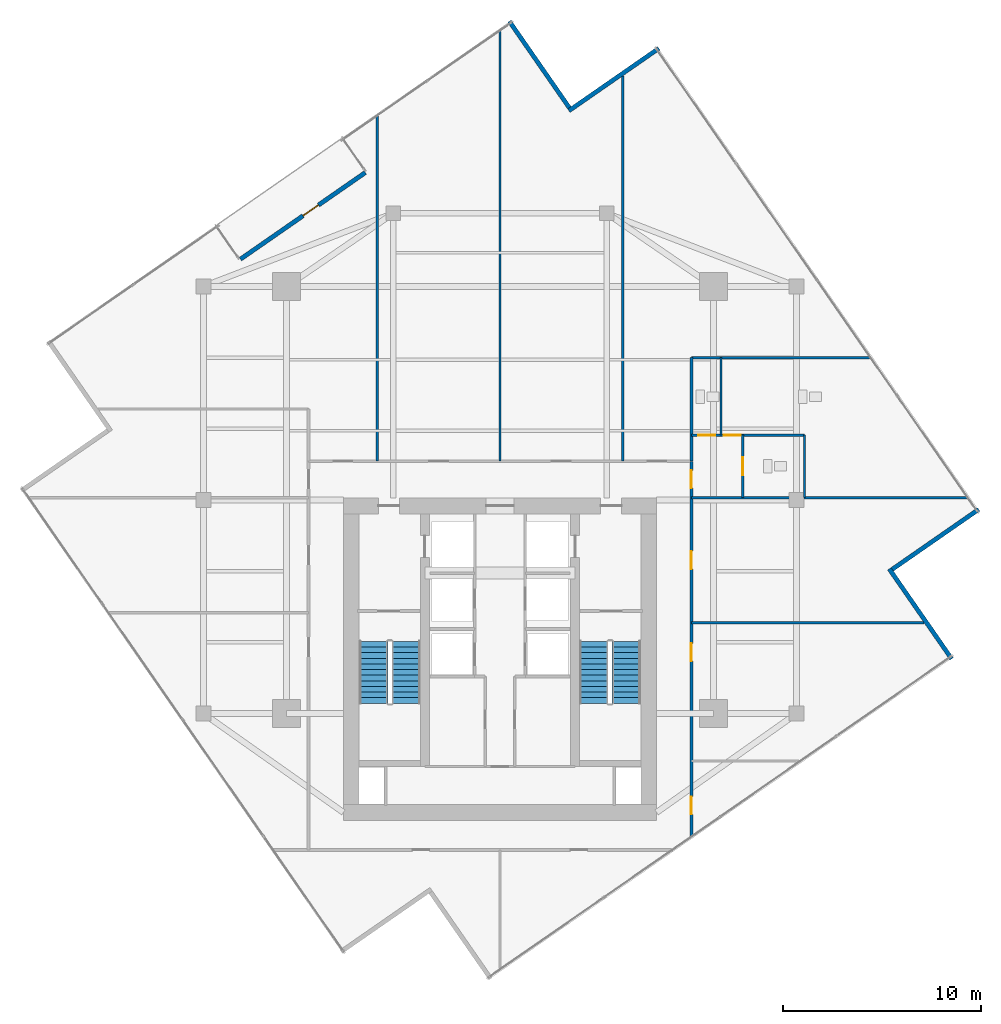
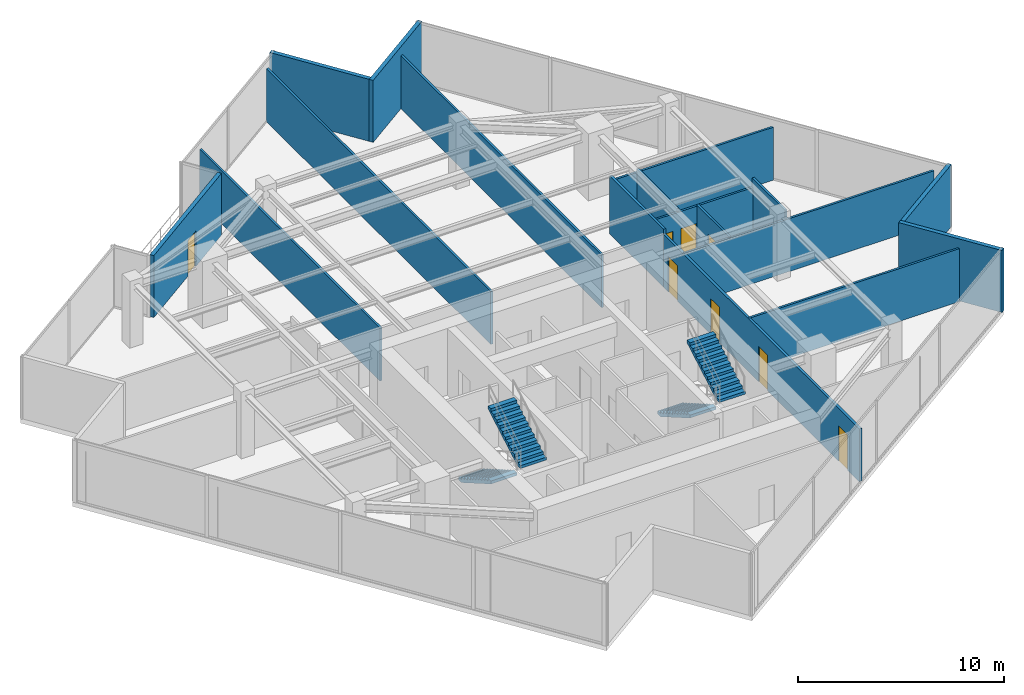
# One storey, part 19 of 21: 17 walls, 8 doors, 4 stair flights, 8 openings, 2 elements without a shape of their own.
"""IFC4 building model written with IfcOpenShell, lengths in metres."""

import ifcopenshell
import ifcopenshell.guid

model = None  # the IFC model being written
_history = None  # IfcOwnerHistory: only IFC2X3 demands one
_inside = {}  # id of a spatial element -> (the spatial element, [elements in it])
_under = {}  # id of a project, library or spatial element -> (it, [spatial elements below it])
_declared = {}  # id of a project -> (the project, [libraries it declares])
_typed = {}  # id of a type object -> (the type object, [elements of that type])
_made_of = {}  # id of a material, layer set ... -> (it, [elements and type objects made of it])


def new_model(schema):
    """Start an empty IFC model of exactly this schema.

    Asked for "IFC4X3", IfcOpenShell would pick the latest addendum, in which some entities
    have other attributes; the version numbers below select the first issue.
    IFC2X3 requires an IfcOwnerHistory on every rooted entity: one is made here for all.
    """
    global model, _history
    if schema == "IFC4X3":
        model = ifcopenshell.file(schema_version=(4, 3, 0, 0))
    else:
        model = ifcopenshell.file(schema=schema)
    _inside.clear()
    _under.clear()
    _declared.clear()
    _typed.clear()
    _made_of.clear()
    _history = None
    if model.schema == "IFC2X3":
        org = make("IfcOrganization", Name="unknown")
        user = make(
            "IfcPersonAndOrganization",
            ThePerson=make("IfcPerson", FamilyName="unknown"),
            TheOrganization=org,
        )
        app = make(
            "IfcApplication",
            ApplicationDeveloper=org,
            Version="unknown",
            ApplicationFullName="unknown",
            ApplicationIdentifier="unknown",
        )
        _history = make(
            "IfcOwnerHistory",
            OwningUser=user,
            OwningApplication=app,
            ChangeAction="ADDED",
            CreationDate=0,
        )
    return model


def make(cls, **values):
    """One entity of the class cls with the attributes given. An attribute that is None is left unset."""
    return model.create_entity(
        cls, **{name: value for name, value in values.items() if value is not None}
    )


def rooted(cls, **values):
    """An entity with a GlobalId (a new one), such as an element, a storey or a relation."""
    return make(cls, GlobalId=ifcopenshell.guid.new(), OwnerHistory=_history, **values)


def si_unit(unit_type, name, prefix=None):
    """IfcSIUnit, for example si_unit("LENGTHUNIT", "METRE", prefix="MILLI")."""
    return make("IfcSIUnit", UnitType=unit_type, Prefix=prefix, Name=name)


def assignment(units):
    """IfcUnitAssignment: the units of a project."""
    return None if units is None else make("IfcUnitAssignment", Units=units)


def point(xyz):
    """IfcCartesianPoint."""
    return None if xyz is None else make("IfcCartesianPoint", Coordinates=xyz)


def direction(xyz):
    """IfcDirection."""
    return None if xyz is None else make("IfcDirection", DirectionRatios=xyz)


def frame(location, z_axis=None, x_axis=None):
    """IfcAxis2Placement3D, a coordinate frame: its origin and axes. An axis left out is left unset."""
    return make(
        "IfcAxis2Placement3D",
        Location=point(location),
        Axis=direction(z_axis),
        RefDirection=direction(x_axis),
    )


def frame_2d(location, x_axis=None):
    """IfcAxis2Placement2D, a coordinate frame in the plane: its origin and x axis."""
    return make(
        "IfcAxis2Placement2D", Location=point(location), RefDirection=direction(x_axis)
    )


def origin():
    """The frame at (0, 0, 0) with its axes left unset."""
    return frame((0.0, 0.0, 0.0))


def place(relative_to, where):
    """IfcLocalPlacement: puts the frame where relative to a parent placement (None: the world)."""
    return make(
        "IfcLocalPlacement", PlacementRelTo=relative_to, RelativePlacement=where
    )


def context(
    kind, dimensions, precision=None, world=None, true_north=None, identifier=None
):
    """IfcGeometricRepresentationContext, for example the 3D "Model" context."""
    return make(
        "IfcGeometricRepresentationContext",
        ContextIdentifier=identifier,
        ContextType=kind,
        CoordinateSpaceDimension=dimensions,
        Precision=precision,
        WorldCoordinateSystem=world,
        TrueNorth=true_north,
    )


def subcontext(parent, identifier, kind, view, scale=None):
    """IfcGeometricRepresentationSubContext, for example "Body" below "Model"."""
    return make(
        "IfcGeometricRepresentationSubContext",
        ContextIdentifier=identifier,
        ContextType=kind,
        ParentContext=parent,
        TargetScale=scale,
        TargetView=view,
    )


def project(units=None, contexts=None):
    """IfcProject with its units and contexts."""
    return rooted(
        "IfcProject",
        Name="project",
        RepresentationContexts=contexts,
        UnitsInContext=assignment(units),
    )


def spatial(cls, under=None, at=None, **own):
    """A site, building, storey or space (cls), placed at a placement, below another one or the project."""
    s = rooted(cls, ObjectPlacement=at, **own)
    if under is not None:
        _under.setdefault(under.id(), (under, []))[1].append(s)
    return s


def polyline(points):
    """IfcPolyline through the points."""
    return make("IfcPolyline", Points=[point(p) for p in points])


def profile(cls, at=None, kind="AREA", **sizes):
    """A parametric profile (cls). Its sizes go by their IFC names, for example OverallWidth=200.0."""
    return make(cls, ProfileType=kind, Position=at, **sizes)


def rectangle(**sizes):
    """IfcRectangleProfileDef."""
    return profile("IfcRectangleProfileDef", **sizes)


def outline(outer, holes=None, kind="AREA"):
    """IfcArbitraryClosedProfileDef: a profile drawn as a closed curve; with holes, ...WithVoids."""
    if holes is None:
        return make("IfcArbitraryClosedProfileDef", ProfileType=kind, OuterCurve=outer)
    return make(
        "IfcArbitraryProfileDefWithVoids",
        ProfileType=kind,
        OuterCurve=outer,
        InnerCurves=holes,
    )


def extrude(swept, where, along, depth):
    """IfcExtrudedAreaSolid: the profile swept, set in the frame where, extruded along a direction by depth."""
    return make(
        "IfcExtrudedAreaSolid",
        SweptArea=swept,
        Position=where,
        ExtrudedDirection=direction(along),
        Depth=depth,
    )


def shape(context_of_items, identifier, shape_type, items):
    """IfcShapeRepresentation: the items that make up one representation, for example the "Body"."""
    return make(
        "IfcShapeRepresentation",
        ContextOfItems=context_of_items,
        RepresentationIdentifier=identifier,
        RepresentationType=shape_type,
        Items=items,
    )


def material(Name=None, Category=None):
    """IfcMaterial."""
    return make("IfcMaterial", Name=Name, Category=Category)


def layer(
    of_material, thickness, ventilated=None, Name=None, Category=None, Priority=None
):
    """IfcMaterialLayer: one layer of a wall or slab, of a material (None: an air gap)."""
    return make(
        "IfcMaterialLayer",
        Material=of_material,
        LayerThickness=thickness,
        IsVentilated=ventilated,
        Name=Name,
        Category=Category,
        Priority=Priority,
    )


def layer_set(layers, Name=None):
    """IfcMaterialLayerSet."""
    return make("IfcMaterialLayerSet", MaterialLayers=layers, LayerSetName=Name)


def made_of(thing, what):
    """Note that an element or type object is made of a material, layer set ...; save() writes the relation."""
    if what is not None:
        _made_of.setdefault(what.id(), (what, []))[1].append(thing)
    return thing


def type_object(cls, material=None, **own):
    """A type object (cls), such as IfcWallType, which elements share."""
    return made_of(rooted(cls, **own), material)


def element(
    cls,
    number,
    at=None,
    inside=None,
    cuts=None,
    type_object=None,
    material=None,
    context=None,
    identifier="Body",
    shape_type=None,
    held_by="IfcProductDefinitionShape",
    body=None,
    shapes=None,
    **own,
):
    """One element of the class cls, such as IfcWall. Its Tag is "e" and its number.

    at: its placement. inside: the storey or other place that contains it. cuts: it is an
    opening in that element (IfcRelVoidsElement). A single representation is given by context,
    identifier, shape_type and body (its items); several are given by shapes. held_by: the class
    of the entity that holds the representations. save() writes the other relations.
    """
    e = rooted(cls, Tag="e%d" % number, ObjectPlacement=at, **own)
    if body is not None:
        shapes = [shape(context, identifier, shape_type, body)]
    if shapes is not None:
        e.Representation = make(held_by, Representations=shapes)
    if inside is not None:
        _inside.setdefault(inside.id(), (inside, []))[1].append(e)
    if cuts is not None:
        rooted(
            "IfcRelVoidsElement", RelatingBuildingElement=cuts, RelatedOpeningElement=e
        )
    if type_object is not None:
        _typed.setdefault(type_object.id(), (type_object, []))[1].append(e)
    return made_of(e, material)


def fill(opening, filler):
    """IfcRelFillsElement: the door or window that sits in an opening."""
    return rooted(
        "IfcRelFillsElement",
        RelatingOpeningElement=opening,
        RelatedBuildingElement=filler,
    )


def aggregate(whole, parts):
    """IfcRelAggregates: a whole, such as a stair, and the parts it consists of."""
    return rooted("IfcRelAggregates", RelatingObject=whole, RelatedObjects=parts)


def save(model, path):
    """Write the relations noted so far, then the file.

    IfcRelAggregates (storeys below a building ...), IfcRelContainedInSpatialStructure (elements
    in a storey), IfcRelDefinesByType, IfcRelAssociatesMaterial and IfcRelDeclares: one each for
    every whole, place, type object, material and project.
    """
    for whole, parts in _under.values():
        aggregate(whole, parts)
    for where, things in _inside.values():
        rooted(
            "IfcRelContainedInSpatialStructure",
            RelatedElements=things,
            RelatingStructure=where,
        )
    for kind, things in _typed.values():
        rooted("IfcRelDefinesByType", RelatedObjects=things, RelatingType=kind)
    for what, things in _made_of.values():
        rooted("IfcRelAssociatesMaterial", RelatedObjects=things, RelatingMaterial=what)
    for by, libraries in _declared.values():
        rooted("IfcRelDeclares", RelatingContext=by, RelatedDefinitions=libraries)
    model.write(path)


model = new_model("IFC4")

# Units and contexts
model_context = context("Model", 3, precision=1e-05, world=origin(), true_north=direction((0.0, 1.0)))
body_context = subcontext(model_context, "Body", "Model", "MODEL_VIEW")
ifc_project = project(units=[si_unit("LENGTHUNIT", "METRE"), si_unit("AREAUNIT", "SQUARE_METRE"), si_unit("VOLUMEUNIT", "CUBIC_METRE"), si_unit("PLANEANGLEUNIT", "RADIAN"), si_unit("MASSUNIT", "GRAM", prefix="KILO")], contexts=[model_context])

# Site, building, storey
site_placement = place(None, origin())
site = spatial("IfcSite", under=ifc_project, at=site_placement, CompositionType="ELEMENT")
building_placement = place(site_placement, origin())
building = spatial("IfcBuilding", under=site, at=building_placement, Name="Krantzveldt Concourse Tower", CompositionType="ELEMENT")
storey_placement = place(building_placement, frame((0.0, 0.0, 279.25)))
storey = spatial("IfcBuildingStorey", under=building, at=storey_placement, Name="L68", CompositionType="ELEMENT", Elevation=279.25)

# Wall
ifc_material_1 = material(Name="Anodised aluminium 6063-T6", Category="aluminium")
ifc_layer_1 = layer(ifc_material_1, 0.219970703125, Name="Anodised aluminium 6063-T6", Category="aluminium")
ifc_layer_set_1 = layer_set([ifc_layer_1], Name="Anodised aluminium 6063-T6 (WL-EXT-NOTCH220)")
wall_type_1 = type_object("IfcWallType", Name="WL-EXT-NOTCH220", PredefinedType="ELEMENTEDWALL", material=ifc_layer_set_1)
wall_1_placement = place(storey_placement, frame((39.50830078125, 46.537841796875, 0.0), z_axis=(0.0, 0.0, 1.0), x_axis=(-0.570020283612, 0.821630620334, 0.0)))
element("IfcWall", 1, at=wall_1_placement, inside=storey, type_object=wall_type_1, Name="EW-L68-NCH00", PredefinedType="ELEMENTEDWALL", context=body_context, shape_type="SweptSolid", body=[
    extrude(rectangle(XDim=5.3251953125, YDim=0.219970703125, at=frame_2d((2.66259765625, 0.0))), origin(), (0.0, 0.0, 1.0), 3.669921875),
])

# Wall, opening, door
wall_2_placement = place(storey_placement, frame((22.87158203125, 38.87890625, 0.0), z_axis=(0.0, 0.0, 1.0), x_axis=(0.821640913491, 0.570005446709, 0.0)))
wall_2 = element("IfcWall", 2, at=wall_2_placement, inside=storey, type_object=wall_type_1, Name="EW-L68-TSLOT", PredefinedType="ELEMENTEDWALL", context=body_context, shape_type="SweptSolid", body=[
    extrude(rectangle(XDim=7.68994140625, YDim=0.219970703125, at=frame_2d((3.844970703125, 0.0))), origin(), (0.0, 0.0, 1.0), 3.669921875),
])
opening_1_placement = place(wall_2_placement, frame((3.856689453125, 0.0, 0.0)))
opening_1 = element("IfcOpeningElement", 3, at=opening_1_placement, cuts=wall_2, Name="Opening D-EX95", PredefinedType="OPENING", context=body_context, shape_type="SweptSolid", body=[
    extrude(rectangle(XDim=0.949951171875, YDim=2.10009765625, at=frame_2d((0.47509765625, 1.050048828125))), frame((0.0, 0.1201171875, 0.0), z_axis=(0.0, -1.0, 0.0), x_axis=(1.0, 0.0, 0.0)), (0.0, 0.0, 1.0), 0.239990234375),
])
door_type_1 = type_object("IfcDoorType", Name="DR-EXT-950", OperationType="SINGLE_SWING_LEFT", PredefinedType="DOOR", material=ifc_material_1)
door_1_placement = place(opening_1_placement, origin())
door_1 = element("IfcDoor", 4, at=door_1_placement, inside=storey, type_object=door_type_1, Name="DR-L68-TERR", OperationType="SINGLE_SWING_LEFT", OverallHeight=2.10009765625, OverallWidth=0.949951171875, PredefinedType="DOOR", context=body_context, shape_type="SweptSolid", body=[
    extrude(rectangle(XDim=0.949951171875, YDim=2.10009765625, at=frame_2d((0.47509765625, 1.050048828125))), frame((0.0, 0.02490234375, 0.0), z_axis=(0.0, -1.0, 0.0), x_axis=(1.0, 0.0, 0.0)), (0.0, 0.0, 1.0), 0.050048828125),
])
fill(opening_1, door_1)

# Walls
wall_3_placement = place(storey_placement, frame((58.845458984375, 18.663330078125, 0.0), z_axis=(0.0, 0.0, 1.0), x_axis=(-0.569988141022, 0.821652918874, 0.0)))
element("IfcWall", 5, at=wall_3_placement, inside=storey, type_object=wall_type_1, Name="EW-L68-NCH12", PredefinedType="ELEMENTEDWALL", context=body_context, shape_type="SweptSolid", body=[
    extrude(rectangle(XDim=5.545166015625, YDim=0.219970703125, at=frame_2d((2.7724609375, 0.0))), origin(), (0.0, 0.0, 1.0), 3.669921875),
])
wall_4_placement = place(storey_placement, frame((55.837890625, 23.19189453125, 0.0), z_axis=(0.0, 0.0, 1.0), x_axis=(0.821652092748, 0.569989331903, 0.0)))
element("IfcWall", 6, at=wall_4_placement, inside=storey, type_object=wall_type_1, Name="EW-L68-NCH13", PredefinedType="ELEMENTEDWALL", context=body_context, shape_type="SweptSolid", body=[
    extrude(rectangle(XDim=5.324951171875, YDim=0.219970703125, at=frame_2d((2.66259765625, 0.0))), origin(), (0.0, 0.0, 1.0), 3.669921875),
])
wall_5_placement = place(storey_placement, frame((44.03662109375, 49.54541015625, 0.0), z_axis=(0.0, 0.0, 1.0), x_axis=(-0.821652918874, -0.569988141022, 0.0)))
element("IfcWall", 7, at=wall_5_placement, inside=storey, type_object=wall_type_1, Name="EW-L68-NCH15", PredefinedType="ELEMENTEDWALL", context=body_context, shape_type="SweptSolid", body=[
    extrude(rectangle(XDim=5.545166015625, YDim=0.219970703125, at=frame_2d((2.7724609375, 0.0))), origin(), (0.0, 0.0, 1.0), 3.669921875),
])
ifc_material_2 = material(Name="Fire-rated gypsum plasterboard on steel stud", Category="steel")
ifc_layer_2 = layer(ifc_material_2, 0.1201171875, Name="Fire-rated gypsum plasterboard on steel stud", Category="steel")
ifc_layer_set_2 = layer_set([ifc_layer_2], Name="Fire-rated gypsum plasterboard on steel stud (WL-PART-120)")
wall_type_2 = type_object("IfcWallType", Name="WL-PART-120", PredefinedType="PARTITIONING", material=ifc_layer_set_2)
wall_6_placement = place(storey_placement, frame((45.679931640625, 26.820068359375, 0.0), z_axis=(0.0, 0.0, 1.0), x_axis=(1.0, 0.0, 0.0)))
element("IfcWall", 8, at=wall_6_placement, inside=storey, type_object=wall_type_2, Name="WP-L68-WCBS", PredefinedType="PARTITIONING", context=body_context, shape_type="SweptSolid", body=[
    extrude(rectangle(XDim=13.981689453125, YDim=0.1201171875, at=frame_2d((6.99072265625, 0.0))), origin(), (0.0, 0.0, 1.0), 3.1298828125),
])
wall_7_placement = place(storey_placement, frame((45.679931640625, 33.89990234375, 0.0), z_axis=(0.0, 0.0, 1.0), x_axis=(1.0, 0.0, 0.0)))
element("IfcWall", 9, at=wall_7_placement, inside=storey, type_object=wall_type_2, Name="WP-L68-WCBN", PredefinedType="PARTITIONING", context=body_context, shape_type="SweptSolid", body=[
    extrude(rectangle(XDim=9.0703125, YDim=0.1201171875, at=frame_2d((4.53515625, 0.0))), origin(), (0.0, 0.0, 1.0), 3.1298828125),
])

# Wall, openings, doors
wall_8_placement = place(storey_placement, frame((45.679931640625, 29.97998046875, 0.0), z_axis=(0.0, 0.0, 1.0), x_axis=(1.0, 0.0, 0.0)))
wall_8 = element("IfcWall", 10, at=wall_8_placement, inside=storey, type_object=wall_type_2, Name="WP-L68-WCMH", PredefinedType="PARTITIONING", context=body_context, shape_type="SweptSolid", body=[
    extrude(rectangle(XDim=5.719970703125, YDim=0.1201171875, at=frame_2d((2.85986328125, 0.0))), origin(), (0.0, 0.0, 1.0), 3.1298828125),
])
opening_2_placement = place(wall_8_placement, frame((1.64501953125, 0.0, 0.0)))
opening_2 = element("IfcOpeningElement", 11, at=opening_2_placement, cuts=wall_8, Name="Opening D-IN085", PredefinedType="OPENING", context=body_context, shape_type="SweptSolid", body=[
    extrude(rectangle(XDim=0.85009765625, YDim=2.10009765625, at=frame_2d((0.425048828125, 1.050048828125))), frame((0.0, 0.070068359375, 0.0), z_axis=(0.0, -1.0, 0.0), x_axis=(1.0, 0.0, 0.0)), (0.0, 0.0, 1.0), 0.14013671875),
])
opening_3_placement = place(wall_8_placement, frame((0.344970703125, 0.0, 0.0)))
opening_3 = element("IfcOpeningElement", 12, at=opening_3_placement, cuts=wall_8, Name="Opening D-IN085", PredefinedType="OPENING", context=body_context, shape_type="SweptSolid", body=[
    extrude(rectangle(XDim=0.85009765625, YDim=2.10009765625, at=frame_2d((0.425048828125, 1.050048828125))), frame((0.0, 0.070068359375, 0.0), z_axis=(0.0, -1.0, 0.0), x_axis=(1.0, 0.0, 0.0)), (0.0, 0.0, 1.0), 0.14013671875),
])
ifc_material_3 = material(Name="Hardwood timber", Category="wood")
door_type_2 = type_object("IfcDoorType", Name="DR-INT-850", OperationType="SINGLE_SWING_LEFT", PredefinedType="DOOR", material=ifc_material_3)
door_2_placement = place(opening_2_placement, origin())
door_2 = element("IfcDoor", 13, at=door_2_placement, inside=storey, type_object=door_type_2, Name="DR-L68-WCM", OperationType="SINGLE_SWING_RIGHT", OverallHeight=2.10009765625, OverallWidth=0.85009765625, PredefinedType="DOOR", context=body_context, shape_type="SweptSolid", body=[
    extrude(rectangle(XDim=0.85009765625, YDim=2.10009765625, at=frame_2d((0.425048828125, 1.050048828125))), frame((0.0, 0.02490234375, 0.0), z_axis=(0.0, -1.0, 0.0), x_axis=(1.0, 0.0, 0.0)), (0.0, 0.0, 1.0), 0.050048828125),
])
fill(opening_2, door_2)
door_3_placement = place(opening_3_placement, origin())
door_3 = element("IfcDoor", 14, at=door_3_placement, inside=storey, type_object=door_type_2, Name="DR-L68-WCF", OperationType="SINGLE_SWING_LEFT", OverallHeight=2.10009765625, OverallWidth=0.85009765625, PredefinedType="DOOR", context=body_context, shape_type="SweptSolid", body=[
    extrude(rectangle(XDim=0.85009765625, YDim=2.10009765625, at=frame_2d((0.425048828125, 1.050048828125))), frame((0.0, 0.02490234375, 0.0), z_axis=(0.0, -1.0, 0.0), x_axis=(1.0, 0.0, 0.0)), (0.0, 0.0, 1.0), 0.050048828125),
])
fill(opening_3, door_3)

# Wall
wall_9_placement = place(storey_placement, frame((51.39990234375, 26.820068359375, 0.0), z_axis=(0.0, 0.0, 1.0), x_axis=(0.0, 1.0, 0.0)))
element("IfcWall", 15, at=wall_9_placement, inside=storey, type_object=wall_type_2, Name="WP-L68-WCAR", PredefinedType="PARTITIONING", context=body_context, shape_type="SweptSolid", body=[
    extrude(rectangle(XDim=3.159912109375, YDim=0.1201171875, at=frame_2d((1.580078125, 0.0))), origin(), (0.0, 0.0, 1.0), 3.669921875),
])

# Wall, opening, door
wall_10_placement = place(storey_placement, frame((48.280029296875, 26.820068359375, 0.0), z_axis=(0.0, 0.0, 1.0), x_axis=(0.0, 1.0, 0.0)))
wall_10 = element("IfcWall", 16, at=wall_10_placement, inside=storey, type_object=wall_type_2, Name="WP-L68-WCAV", PredefinedType="PARTITIONING", context=body_context, shape_type="SweptSolid", body=[
    extrude(rectangle(XDim=3.159912109375, YDim=0.1201171875, at=frame_2d((1.580078125, 0.0))), origin(), (0.0, 0.0, 1.0), 3.179931640625),
])
opening_4_placement = place(wall_10_placement, frame((1.1298828125, 0.0, 0.0)))
opening_4 = element("IfcOpeningElement", 17, at=opening_4_placement, cuts=wall_10, Name="Opening D-IN090", PredefinedType="OPENING", context=body_context, shape_type="SweptSolid", body=[
    extrude(rectangle(XDim=0.89990234375, YDim=2.10009765625, at=frame_2d((0.449951171875, 1.050048828125))), frame((0.0, 0.070068359375, 0.0), z_axis=(0.0, -1.0, 0.0), x_axis=(1.0, 0.0, 0.0)), (0.0, 0.0, 1.0), 0.14013671875),
])
door_type_3 = type_object("IfcDoorType", Name="DR-INT-900", OperationType="SINGLE_SWING_LEFT", PredefinedType="DOOR", material=ifc_material_3)
door_4_placement = place(opening_4_placement, origin())
door_4 = element("IfcDoor", 18, at=door_4_placement, inside=storey, type_object=door_type_3, Name="DR-L68-WCA", OperationType="SINGLE_SWING_RIGHT", OverallHeight=2.10009765625, OverallWidth=0.89990234375, PredefinedType="DOOR", context=body_context, shape_type="SweptSolid", body=[
    extrude(rectangle(XDim=0.89990234375, YDim=2.10009765625, at=frame_2d((0.449951171875, 1.050048828125))), frame((0.0, 0.02490234375, 0.0), z_axis=(0.0, -1.0, 0.0), x_axis=(1.0, 0.0, 0.0)), (0.0, 0.0, 1.0), 0.050048828125),
])
fill(opening_4, door_4)

# Walls
wall_11_placement = place(storey_placement, frame((47.179931640625, 29.97998046875, 0.0), z_axis=(0.0, 0.0, 1.0), x_axis=(0.0, 1.0, 0.0)))
element("IfcWall", 19, at=wall_11_placement, inside=storey, type_object=wall_type_2, Name="WP-L68-WCFD", PredefinedType="PARTITIONING", context=body_context, shape_type="SweptSolid", body=[
    extrude(rectangle(XDim=3.919921875, YDim=0.1201171875, at=frame_2d((1.9599609375, 0.0))), origin(), (0.0, 0.0, 1.0), 3.31005859375),
])
wall_12_placement = place(storey_placement, frame((29.800048828125, 28.659912109375, 0.0), z_axis=(0.0, 0.0, 1.0), x_axis=(0.0, 1.0, 0.0)))
element("IfcWall", 20, at=wall_12_placement, inside=storey, type_object=wall_type_2, Name="WP-L68-ND1", PredefinedType="PARTITIONING", context=body_context, shape_type="SweptSolid", body=[
    extrude(rectangle(XDim=17.48388671875, YDim=0.1201171875, at=frame_2d((8.741943359375, 0.0))), origin(), (0.0, 0.0, 1.0), 3.1298828125),
])
wall_13_placement = place(storey_placement, frame((36.0, 28.659912109375, 0.0), z_axis=(0.0, 0.0, 1.0), x_axis=(0.0, 1.0, 0.0)))
element("IfcWall", 21, at=wall_13_placement, inside=storey, type_object=wall_type_2, Name="WP-L68-ND2", PredefinedType="PARTITIONING", context=body_context, shape_type="SweptSolid", body=[
    extrude(rectangle(XDim=21.78515625, YDim=0.1201171875, at=frame_2d((10.892578125, 0.0))), origin(), (0.0, 0.0, 1.0), 3.1298828125),
])
wall_14_placement = place(storey_placement, frame((42.199951171875, 28.659912109375, 0.0), z_axis=(0.0, 0.0, 1.0), x_axis=(0.0, 1.0, 0.0)))
element("IfcWall", 22, at=wall_14_placement, inside=storey, type_object=wall_type_2, Name="WP-L68-ND3", PredefinedType="PARTITIONING", context=body_context, shape_type="SweptSolid", body=[
    extrude(rectangle(XDim=19.471435546875, YDim=0.1201171875, at=frame_2d((9.73583984375, 0.0))), origin(), (0.0, 0.0, 1.0), 3.1298828125),
])
wall_15_placement = place(storey_placement, frame((45.679931640625, 20.5, 0.0), z_axis=(0.0, 0.0, 1.0), x_axis=(1.0, 0.0, 0.0)))
element("IfcWall", 23, at=wall_15_placement, inside=storey, type_object=wall_type_2, Name="WP-L68-ED2", PredefinedType="PARTITIONING", context=body_context, shape_type="SweptSolid", body=[
    extrude(rectangle(XDim=11.75146484375, YDim=0.1201171875, at=frame_2d((5.875732421875, 0.0))), origin(), (0.0, 0.0, 1.0), 3.1298828125),
])

# Wall, openings, doors
ifc_layer_3 = layer(ifc_material_2, 0.139892578125, Name="Fire-rated gypsum plasterboard on steel stud", Category="steel")
ifc_layer_set_3 = layer_set([ifc_layer_3], Name="Fire-rated gypsum plasterboard on steel stud (WL-PART-140)")
wall_type_3 = type_object("IfcWallType", Name="WL-PART-140", PredefinedType="PARTITIONING", material=ifc_layer_set_3)
wall_16_placement = place(storey_placement, frame((45.679931640625, 9.67041015625, 0.0), z_axis=(0.0, 0.0, 1.0), x_axis=(0.0, 1.0, 0.0)))
wall_16 = element("IfcWall", 24, at=wall_16_placement, inside=storey, type_object=wall_type_3, Name="WP-L68-CEAST", PredefinedType="PARTITIONING", context=body_context, shape_type="SweptSolid", body=[
    extrude(rectangle(XDim=18.989501953125, YDim=0.139892578125, at=frame_2d((9.49462890625, 0.0))), origin(), (0.0, 0.0, 1.0), 3.1298828125),
])
opening_5_placement = place(wall_16_placement, frame((17.629638671875, 0.0, 0.0)))
opening_5 = element("IfcOpeningElement", 25, at=opening_5_placement, cuts=wall_16, Name="Opening D-IN090", PredefinedType="OPENING", context=body_context, shape_type="SweptSolid", body=[
    extrude(rectangle(XDim=0.89990234375, YDim=2.10009765625, at=frame_2d((0.449951171875, 1.050048828125))), frame((0.0, 0.080078125, 0.0), z_axis=(0.0, -1.0, 0.0), x_axis=(1.0, 0.0, 0.0)), (0.0, 0.0, 1.0), 0.159912109375),
])
opening_6_placement = place(wall_16_placement, frame((1.129638671875, 0.0, 0.0)))
opening_6 = element("IfcOpeningElement", 26, at=opening_6_placement, cuts=wall_16, Name="Opening D-IN090", PredefinedType="OPENING", context=body_context, shape_type="SweptSolid", body=[
    extrude(rectangle(XDim=0.89990234375, YDim=2.10009765625, at=frame_2d((0.449951171875, 1.050048828125))), frame((0.0, 0.080078125, 0.0), z_axis=(0.0, -1.0, 0.0), x_axis=(1.0, 0.0, 0.0)), (0.0, 0.0, 1.0), 0.159912109375),
])
opening_7_placement = place(wall_16_placement, frame((8.879638671875, 0.0, 0.0)))
opening_7 = element("IfcOpeningElement", 27, at=opening_7_placement, cuts=wall_16, Name="Opening D-IN090", PredefinedType="OPENING", context=body_context, shape_type="SweptSolid", body=[
    extrude(rectangle(XDim=0.89990234375, YDim=2.10009765625, at=frame_2d((0.449951171875, 1.050048828125))), frame((0.0, 0.080078125, 0.0), z_axis=(0.0, -1.0, 0.0), x_axis=(1.0, 0.0, 0.0)), (0.0, 0.0, 1.0), 0.159912109375),
])
opening_8_placement = place(wall_16_placement, frame((13.539794921875, 0.0, 0.0)))
opening_8 = element("IfcOpeningElement", 28, at=opening_8_placement, cuts=wall_16, Name="Opening D-IN090", PredefinedType="OPENING", context=body_context, shape_type="SweptSolid", body=[
    extrude(rectangle(XDim=0.89990234375, YDim=2.10009765625, at=frame_2d((0.449951171875, 1.050048828125))), frame((0.0, 0.080078125, 0.0), z_axis=(0.0, -1.0, 0.0), x_axis=(1.0, 0.0, 0.0)), (0.0, 0.0, 1.0), 0.159912109375),
])
door_5_placement = place(opening_5_placement, origin())
door_5 = element("IfcDoor", 29, at=door_5_placement, inside=storey, type_object=door_type_3, Name="DR-L68-WCV", OperationType="SINGLE_SWING_RIGHT", OverallHeight=2.10009765625, OverallWidth=0.89990234375, PredefinedType="DOOR", context=body_context, shape_type="SweptSolid", body=[
    extrude(rectangle(XDim=0.89990234375, YDim=2.10009765625, at=frame_2d((0.449951171875, 1.050048828125))), frame((0.0, 0.02490234375, 0.0), z_axis=(0.0, -1.0, 0.0), x_axis=(1.0, 0.0, 0.0)), (0.0, 0.0, 1.0), 0.050048828125),
])
fill(opening_5, door_5)
door_6_placement = place(opening_6_placement, origin())
door_6 = element("IfcDoor", 30, at=door_6_placement, inside=storey, type_object=door_type_3, Name="DR-L68-ER1", OperationType="SINGLE_SWING_LEFT", OverallHeight=2.10009765625, OverallWidth=0.89990234375, PredefinedType="DOOR", context=body_context, shape_type="SweptSolid", body=[
    extrude(rectangle(XDim=0.89990234375, YDim=2.10009765625, at=frame_2d((0.449951171875, 1.050048828125))), frame((0.0, 0.02490234375, 0.0), z_axis=(0.0, -1.0, 0.0), x_axis=(1.0, 0.0, 0.0)), (0.0, 0.0, 1.0), 0.050048828125),
])
fill(opening_6, door_6)
door_7_placement = place(opening_7_placement, origin())
door_7 = element("IfcDoor", 31, at=door_7_placement, inside=storey, type_object=door_type_3, Name="DR-L68-ER2", OperationType="SINGLE_SWING_LEFT", OverallHeight=2.10009765625, OverallWidth=0.89990234375, PredefinedType="DOOR", context=body_context, shape_type="SweptSolid", body=[
    extrude(rectangle(XDim=0.89990234375, YDim=2.10009765625, at=frame_2d((0.449951171875, 1.050048828125))), frame((0.0, 0.02490234375, 0.0), z_axis=(0.0, -1.0, 0.0), x_axis=(1.0, 0.0, 0.0)), (0.0, 0.0, 1.0), 0.050048828125),
])
fill(opening_7, door_7)
door_8_placement = place(opening_8_placement, origin())
door_8 = element("IfcDoor", 32, at=door_8_placement, inside=storey, type_object=door_type_3, Name="DR-L68-ER3", OperationType="SINGLE_SWING_LEFT", OverallHeight=2.10009765625, OverallWidth=0.89990234375, PredefinedType="DOOR", context=body_context, shape_type="SweptSolid", body=[
    extrude(rectangle(XDim=0.89990234375, YDim=2.10009765625, at=frame_2d((0.449951171875, 1.050048828125))), frame((0.0, 0.02490234375, 0.0), z_axis=(0.0, -1.0, 0.0), x_axis=(1.0, 0.0, 0.0)), (0.0, 0.0, 1.0), 0.050048828125),
])
fill(opening_8, door_8)

# Wall
wall_17_placement = place(storey_placement, frame((45.679931640625, 28.659912109375, 0.0), z_axis=(0.0, 0.0, 1.0), x_axis=(0.0, 1.0, 0.0)))
element("IfcWall", 33, at=wall_17_placement, inside=storey, type_object=wall_type_3, Name="WP-L68-NER", PredefinedType="PARTITIONING", context=body_context, shape_type="SweptSolid", body=[
    extrude(rectangle(XDim=5.239990234375, YDim=0.139892578125, at=frame_2d((2.6201171875, 0.0))), origin(), (0.0, 0.0, 1.0), 3.429931640625),
])

# Stair, stair flights
ifc_material_4 = material(Name="Precast concrete C40/50", Category="concrete")
stair_type = type_object("IfcStairType", Name="STR-CORE-DOGLEG", PredefinedType="HALF_TURN_STAIR", material=ifc_material_4)
stair_1_placement = place(storey_placement, origin())
stair_1 = element("IfcStair", 34, at=stair_1_placement, inside=storey, type_object=stair_type, Name="L68 Protected Escape Stair ST-1", PredefinedType="HALF_TURN_STAIR")
stair_flight_type = type_object("IfcStairFlightType", Name="STF-CORE-1450", PredefinedType="STRAIGHT", material=ifc_material_4)
stair_flight_1_placement = place(storey_placement, frame((29.60498046875, 19.550048828125, 0.0), z_axis=(0.0, 0.0, 1.0), x_axis=(0.0, -1.0, 0.0)))
stair_flight_1 = element("IfcStairFlight", 35, at=stair_flight_1_placement, type_object=stair_flight_type, Name="ST-1 flight 1", NumberOfRisers=12, NumberOfTreads=11, PredefinedType="STRAIGHT", RiserHeight=0.164583333, TreadLength=0.285, context=body_context, shape_type="SweptSolid", body=[
    extrude(outline(polyline([(0.0, 0.0), (0.0, 0.16455078125), (0.284912109375, 0.16455078125), (0.284912109375, 0.3291015625), (0.570068359375, 0.3291015625), (0.570068359375, 0.49365234375), (0.85498046875, 0.49365234375), (0.85498046875, 0.658447265625), (1.139892578125, 0.658447265625), (1.139892578125, 0.822998046875), (1.425048828125, 0.822998046875), (1.425048828125, 0.987548828125), (1.7099609375, 0.987548828125), (1.7099609375, 1.152099609375), (1.9951171875, 1.152099609375), (1.9951171875, 1.316650390625), (2.280029296875, 1.316650390625), (2.280029296875, 1.481201171875), (2.56494140625, 1.481201171875), (2.56494140625, 1.645751953125), (2.85009765625, 1.645751953125), (2.85009765625, 1.810302734375), (3.135009765625, 1.810302734375), (3.135009765625, 1.97509765625), (3.135009765625, 1.63720703125), (0.2998046875, 0.0), (0.0, 0.0)])), frame((0.0, 0.72509765625, 0.0), z_axis=(0.0, -1.0, 0.0), x_axis=(1.0, 0.0, 0.0)), (0.0, 0.0, 1.0), 1.449951171875),
])
stair_flight_2_placement = place(storey_placement, frame((31.2548828125, 16.4150390625, 1.97509765625), z_axis=(0.0, 0.0, 1.0), x_axis=(0.0, 1.0, 0.0)))
stair_flight_2 = element("IfcStairFlight", 36, at=stair_flight_2_placement, type_object=stair_flight_type, Name="ST-1 flight 2", NumberOfRisers=12, NumberOfTreads=11, PredefinedType="STRAIGHT", RiserHeight=0.164583333, TreadLength=0.285, context=body_context, shape_type="SweptSolid", body=[
    extrude(outline(polyline([(0.0, 0.0), (0.0, 0.16455078125), (0.284912109375, 0.16455078125), (0.284912109375, 0.3291015625), (0.570068359375, 0.3291015625), (0.570068359375, 0.49365234375), (0.85498046875, 0.49365234375), (0.85498046875, 0.658447265625), (1.139892578125, 0.658447265625), (1.139892578125, 0.822998046875), (1.425048828125, 0.822998046875), (1.425048828125, 0.987548828125), (1.7099609375, 0.987548828125), (1.7099609375, 1.152099609375), (1.9951171875, 1.152099609375), (1.9951171875, 1.316650390625), (2.280029296875, 1.316650390625), (2.280029296875, 1.481201171875), (2.56494140625, 1.481201171875), (2.56494140625, 1.645751953125), (2.85009765625, 1.645751953125), (2.85009765625, 1.810302734375), (3.135009765625, 1.810302734375), (3.135009765625, 1.97509765625), (3.135009765625, 1.63720703125), (0.2998046875, 0.0), (0.0, 0.0)])), frame((0.0, 0.72509765625, 0.0), z_axis=(0.0, -1.0, 0.0), x_axis=(1.0, 0.0, 0.0)), (0.0, 0.0, 1.0), 1.449951171875),
])
aggregate(stair_1, [stair_flight_1, stair_flight_2])

stair_2_placement = place(storey_placement, origin())
stair_2 = element("IfcStair", 37, at=stair_2_placement, inside=storey, type_object=stair_type, Name="L68 Protected Escape Stair ST-2", PredefinedType="HALF_TURN_STAIR")
stair_flight_3_placement = place(storey_placement, frame((40.7451171875, 19.550048828125, 0.0), z_axis=(0.0, 0.0, 1.0), x_axis=(0.0, -1.0, 0.0)))
stair_flight_3 = element("IfcStairFlight", 38, at=stair_flight_3_placement, type_object=stair_flight_type, Name="ST-2 flight 1", NumberOfRisers=12, NumberOfTreads=11, PredefinedType="STRAIGHT", RiserHeight=0.164583333, TreadLength=0.285, context=body_context, shape_type="SweptSolid", body=[
    extrude(outline(polyline([(0.0, 0.0), (0.0, 0.16455078125), (0.284912109375, 0.16455078125), (0.284912109375, 0.3291015625), (0.570068359375, 0.3291015625), (0.570068359375, 0.49365234375), (0.85498046875, 0.49365234375), (0.85498046875, 0.658447265625), (1.139892578125, 0.658447265625), (1.139892578125, 0.822998046875), (1.425048828125, 0.822998046875), (1.425048828125, 0.987548828125), (1.7099609375, 0.987548828125), (1.7099609375, 1.152099609375), (1.9951171875, 1.152099609375), (1.9951171875, 1.316650390625), (2.280029296875, 1.316650390625), (2.280029296875, 1.481201171875), (2.56494140625, 1.481201171875), (2.56494140625, 1.645751953125), (2.85009765625, 1.645751953125), (2.85009765625, 1.810302734375), (3.135009765625, 1.810302734375), (3.135009765625, 1.97509765625), (3.135009765625, 1.63720703125), (0.2998046875, 0.0), (0.0, 0.0)])), frame((0.0, 0.72509765625, 0.0), z_axis=(0.0, -1.0, 0.0), x_axis=(1.0, 0.0, 0.0)), (0.0, 0.0, 1.0), 1.449951171875),
])
stair_flight_4_placement = place(storey_placement, frame((42.39501953125, 16.4150390625, 1.97509765625), z_axis=(0.0, 0.0, 1.0), x_axis=(0.0, 1.0, 0.0)))
stair_flight_4 = element("IfcStairFlight", 39, at=stair_flight_4_placement, type_object=stair_flight_type, Name="ST-2 flight 2", NumberOfRisers=12, NumberOfTreads=11, PredefinedType="STRAIGHT", RiserHeight=0.164583333, TreadLength=0.285, context=body_context, shape_type="SweptSolid", body=[
    extrude(outline(polyline([(0.0, 0.0), (0.0, 0.16455078125), (0.284912109375, 0.16455078125), (0.284912109375, 0.3291015625), (0.570068359375, 0.3291015625), (0.570068359375, 0.49365234375), (0.85498046875, 0.49365234375), (0.85498046875, 0.658447265625), (1.139892578125, 0.658447265625), (1.139892578125, 0.822998046875), (1.425048828125, 0.822998046875), (1.425048828125, 0.987548828125), (1.7099609375, 0.987548828125), (1.7099609375, 1.152099609375), (1.9951171875, 1.152099609375), (1.9951171875, 1.316650390625), (2.280029296875, 1.316650390625), (2.280029296875, 1.481201171875), (2.56494140625, 1.481201171875), (2.56494140625, 1.645751953125), (2.85009765625, 1.645751953125), (2.85009765625, 1.810302734375), (3.135009765625, 1.810302734375), (3.135009765625, 1.97509765625), (3.135009765625, 1.63720703125), (0.2998046875, 0.0), (0.0, 0.0)])), frame((0.0, 0.72509765625, 0.0), z_axis=(0.0, -1.0, 0.0), x_axis=(1.0, 0.0, 0.0)), (0.0, 0.0, 1.0), 1.449951171875),
])
aggregate(stair_2, [stair_flight_3, stair_flight_4])

save(model, "model.ifc")
